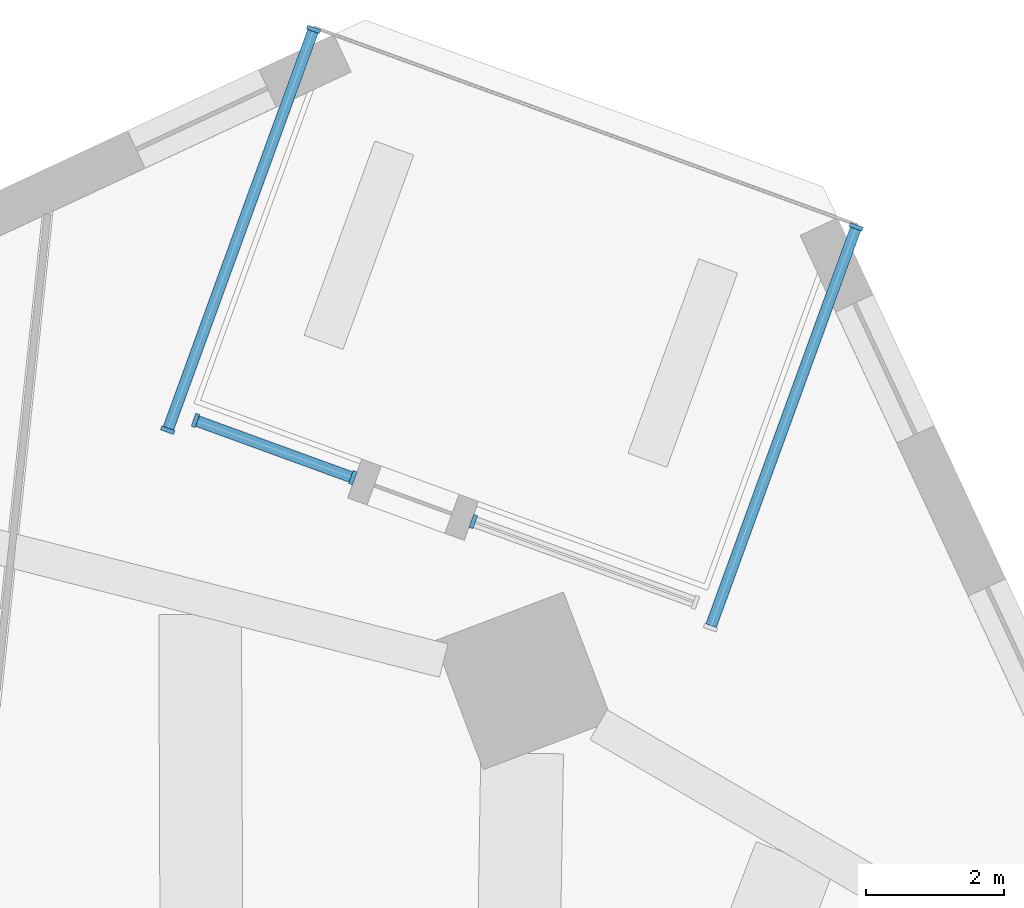
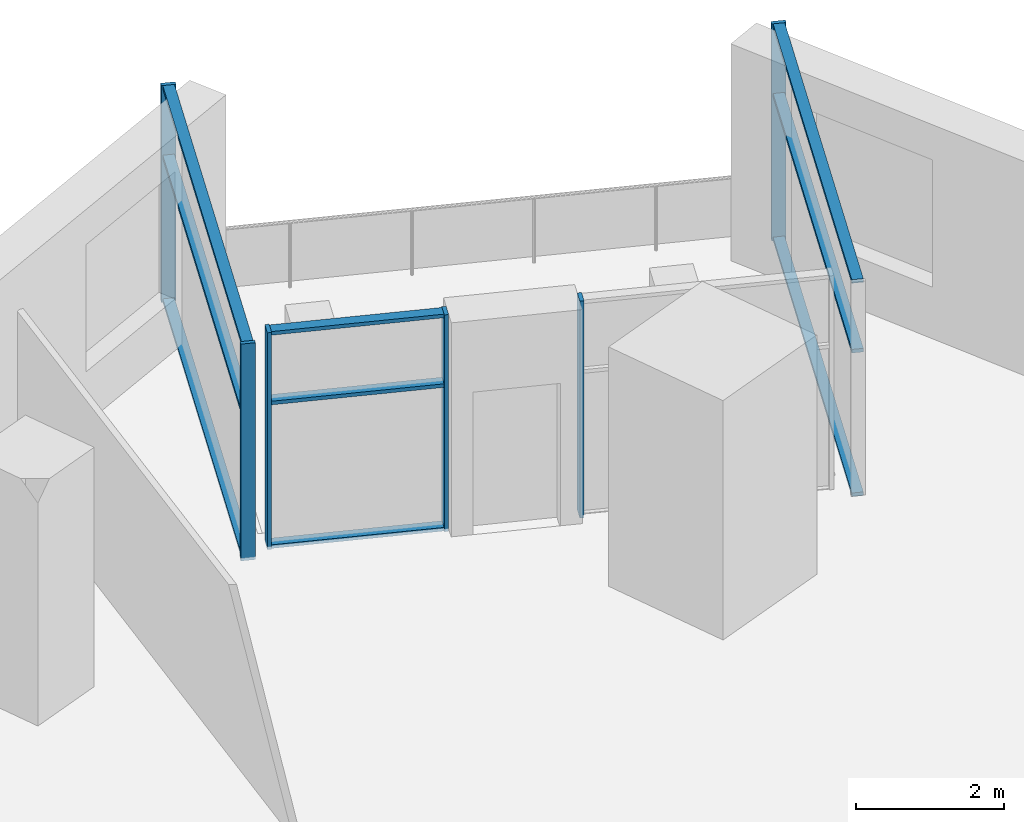
# One storey, part 4 of 12: 15 members, 4 elements without a shape of their own.
"""IFC4 building model written with IfcOpenShell, lengths in metres."""

from ifc_helpers import new_model, si_unit, direction, frame, origin, origin_2d, place, context, subcontext, project, spatial, rectangle, extrude, material, material_profile, profile_set, type_object, element, aggregate, save


model = new_model("IFC4")

# Units and contexts
model_context = context("Model", 3, precision=1e-05, world=origin(), true_north=direction((0.0, 1.0)))
body_context = subcontext(model_context, "Body", "Model", "MODEL_VIEW")
ifc_project = project(units=[si_unit("LENGTHUNIT", "METRE"), si_unit("AREAUNIT", "SQUARE_METRE"), si_unit("VOLUMEUNIT", "CUBIC_METRE"), si_unit("PLANEANGLEUNIT", "RADIAN"), si_unit("MASSUNIT", "GRAM", prefix="KILO")], contexts=[model_context])

# Site, building, storey
site_placement = place(None, origin())
site = spatial("IfcSite", under=ifc_project, at=site_placement, CompositionType="ELEMENT")
building_placement = place(site_placement, origin())
building = spatial("IfcBuilding", under=site, at=building_placement, Name="Dilmun Exchange Tower", CompositionType="ELEMENT")
storey_placement = place(building_placement, frame((0.0, 0.0, 126.10009765625)))
storey = spatial("IfcBuildingStorey", under=building, at=storey_placement, Name="L29", CompositionType="ELEMENT", Elevation=126.10009765625)

# Curtain wall, member
ifc_material_1 = material(Name="Anodised aluminium and clear glass", Category="aluminium")
curtain_wall_type = type_object("IfcCurtainWallType", Name="Garden corner glazing", PredefinedType="NOTDEFINED", material=ifc_material_1)
curtain_wall_1_placement = place(storey_placement, origin())
curtain_wall_1 = element("IfcCurtainWall", 1, at=curtain_wall_1_placement, inside=storey, type_object=curtain_wall_type, Name="Garden corner glazing run GC1.1", PredefinedType="NOTDEFINED")
ifc_material_2 = material(Name="Anodised aluminium", Category="aluminium")
ifc_material_profile_1 = material_profile(ifc_material_2, rectangle(XDim=0.199951171875, YDim=0.06005859375, at=origin_2d()), Name="AL 60x200")
ifc_profile_set_1 = profile_set([ifc_material_profile_1], Name="Anodised aluminium")
member_type_1 = type_object("IfcMemberType", Name="Garden corner glazing mullion 60 x 200", PredefinedType="MULLION", material=ifc_profile_set_1)
member_1_placement = place(storey_placement, frame((17.951904296875, 32.939697265625, 0.0), z_axis=(0.0, 0.0, 1.0), x_axis=(0.939694291986, -0.342015551708, 0.0)))
member_1 = element("IfcMember", 2, at=member_1_placement, type_object=member_type_1, Name="GC1.1 mullion 1", PredefinedType="MULLION", context=body_context, shape_type="SweptSolid", body=[
    extrude(rectangle(XDim=0.199951171875, YDim=0.06005859375, at=origin_2d()), origin(), (0.0, 0.0, 1.0), 3.579833984375),
])

curtain_wall_2_placement = place(storey_placement, origin())
curtain_wall_2 = element("IfcCurtainWall", 3, at=curtain_wall_2_placement, inside=storey, type_object=curtain_wall_type, Name="Garden corner glazing run GC2.1", PredefinedType="NOTDEFINED")
member_2_placement = place(storey_placement, frame((12.39599609375, 28.665771484375, 0.0), z_axis=(0.0, 0.0, 1.0), x_axis=(-0.342032997842, -0.939687942025, 0.0)))
member_2 = element("IfcMember", 4, at=member_2_placement, type_object=member_type_1, Name="GC2.1 mullion 2", PredefinedType="MULLION", context=body_context, shape_type="SweptSolid", body=[
    extrude(rectangle(XDim=0.199951171875, YDim=0.06005859375, at=origin_2d()), origin(), (0.0, 0.0, 1.0), 3.579833984375),
])
aggregate(curtain_wall_2, [member_2])

# Curtain wall, members
curtain_wall_3_placement = place(storey_placement, origin())
curtain_wall_3 = element("IfcCurtainWall", 5, at=curtain_wall_3_placement, inside=storey, type_object=curtain_wall_type, Name="Garden corner glazing run GC2.3", PredefinedType="NOTDEFINED")
member_3_placement = place(storey_placement, frame((10.648193359375, 29.3017578125, 0.0), z_axis=(0.0, 0.0, 1.0), x_axis=(-0.342010785593, -0.939696026669, 0.0)))
member_3 = element("IfcMember", 6, at=member_3_placement, type_object=member_type_1, Name="GC2.3 mullion 1", PredefinedType="MULLION", context=body_context, shape_type="SweptSolid", body=[
    extrude(rectangle(XDim=0.199951171875, YDim=0.06005859375, at=origin_2d()), origin(), (0.0, 0.0, 1.0), 3.579833984375),
])
member_4_placement = place(storey_placement, frame((8.365478515625, 30.132568359375, 0.0), z_axis=(0.0, 0.0, 1.0), x_axis=(-0.342010785593, -0.939696026669, 0.0)))
member_4 = element("IfcMember", 7, at=member_4_placement, type_object=member_type_1, Name="GC2.3 mullion 2", PredefinedType="MULLION", context=body_context, shape_type="SweptSolid", body=[
    extrude(rectangle(XDim=0.199951171875, YDim=0.06005859375, at=origin_2d()), origin(), (0.0, 0.0, 1.0), 3.579833984375),
])

curtain_wall_4_placement = place(storey_placement, origin())
curtain_wall_4 = element("IfcCurtainWall", 8, at=curtain_wall_4_placement, inside=storey, type_object=curtain_wall_type, Name="Garden corner glazing run GC3.1", PredefinedType="NOTDEFINED")
member_5_placement = place(storey_placement, frame((7.963134765625, 29.99169921875, 0.0), z_axis=(0.0, 0.0, 1.0), x_axis=(-0.939694291986, 0.342015551708, 0.0)))
member_5 = element("IfcMember", 9, at=member_5_placement, type_object=member_type_1, Name="GC3.1 mullion 1", PredefinedType="MULLION", context=body_context, shape_type="SweptSolid", body=[
    extrude(rectangle(XDim=0.199951171875, YDim=0.06005859375, at=origin_2d()), origin(), (0.0, 0.0, 1.0), 3.579833984375),
])
member_6_placement = place(storey_placement, frame((10.0791015625, 35.80517578125, 0.0), z_axis=(0.0, 0.0, 1.0), x_axis=(-0.939694291986, 0.342015551708, 0.0)))
member_6 = element("IfcMember", 10, at=member_6_placement, type_object=member_type_1, Name="GC3.1 mullion 2", PredefinedType="MULLION", context=body_context, shape_type="SweptSolid", body=[
    extrude(rectangle(XDim=0.199951171875, YDim=0.06005859375, at=origin_2d()), origin(), (0.0, 0.0, 1.0), 3.579833984375),
])

# Member
ifc_material_profile_2 = material_profile(ifc_material_2, rectangle(XDim=0.159912109375, YDim=0.06005859375, at=origin_2d()), Name="AL 60x160")
ifc_profile_set_2 = profile_set([ifc_material_profile_2], Name="Anodised aluminium")
member_type_2 = type_object("IfcMemberType", Name="Garden corner glazing transom 60 x 160", PredefinedType="USERDEFINED", material=ifc_profile_set_2)
member_7_placement = place(storey_placement, frame((17.941650390625, 32.91162109375, 0.02978515625), z_axis=(-0.341992622513, -0.939702637086, 0.0), x_axis=(0.939702637086, -0.341992622513, 0.0)))
member_7 = element("IfcMember", 11, at=member_7_placement, type_object=member_type_2, Name="GC1.1 transom 1.1", ObjectType="TRANSOM", PredefinedType="USERDEFINED", context=body_context, shape_type="SweptSolid", body=[
    extrude(rectangle(XDim=0.159912109375, YDim=0.06005859375, at=origin_2d()), origin(), (0.0, 0.0, 1.0), 6.12646484375),
])

member_8_placement = place(storey_placement, frame((17.941650390625, 32.91162109375, 2.39990234375), z_axis=(-0.341992622513, -0.939702637086, 0.0), x_axis=(0.939702637086, -0.341992622513, 0.0)))
member_8 = element("IfcMember", 12, at=member_8_placement, type_object=member_type_2, Name="GC1.1 transom 1.2", ObjectType="TRANSOM", PredefinedType="USERDEFINED", context=body_context, shape_type="SweptSolid", body=[
    extrude(rectangle(XDim=0.159912109375, YDim=0.06005859375, at=origin_2d()), origin(), (0.0, 0.0, 1.0), 6.12646484375),
])

member_9_placement = place(storey_placement, frame((17.941650390625, 32.91162109375, 3.5498046875), z_axis=(-0.341992622513, -0.939702637086, 0.0), x_axis=(0.939702637086, -0.341992622513, 0.0)))
member_9 = element("IfcMember", 13, at=member_9_placement, type_object=member_type_2, Name="GC1.1 transom 1.3", ObjectType="TRANSOM", PredefinedType="USERDEFINED", context=body_context, shape_type="SweptSolid", body=[
    extrude(rectangle(XDim=0.159912109375, YDim=0.06005859375, at=origin_2d()), origin(), (0.0, 0.0, 1.0), 6.12646484375),
])

aggregate(curtain_wall_1, [member_1, member_7, member_8, member_9])

member_10_placement = place(storey_placement, frame((10.6201171875, 29.31201171875, 0.02978515625), z_axis=(-0.939694096766, 0.342016088076, 0.0), x_axis=(-0.342016088076, -0.939694096766, 0.0)))
member_10 = element("IfcMember", 14, at=member_10_placement, type_object=member_type_2, Name="GC2.3 transom 1.1", ObjectType="TRANSOM", PredefinedType="USERDEFINED", context=body_context, shape_type="SweptSolid", body=[
    extrude(rectangle(XDim=0.159912109375, YDim=0.06005859375, at=origin_2d()), origin(), (0.0, 0.0, 1.0), 2.369140625),
])

member_11_placement = place(storey_placement, frame((10.6201171875, 29.31201171875, 2.39990234375), z_axis=(-0.939694096766, 0.342016088076, 0.0), x_axis=(-0.342016088076, -0.939694096766, 0.0)))
member_11 = element("IfcMember", 15, at=member_11_placement, type_object=member_type_2, Name="GC2.3 transom 1.2", ObjectType="TRANSOM", PredefinedType="USERDEFINED", context=body_context, shape_type="SweptSolid", body=[
    extrude(rectangle(XDim=0.159912109375, YDim=0.06005859375, at=origin_2d()), origin(), (0.0, 0.0, 1.0), 2.369140625),
])

member_12_placement = place(storey_placement, frame((10.6201171875, 29.31201171875, 3.5498046875), z_axis=(-0.939694096766, 0.342016088076, 0.0), x_axis=(-0.342016088076, -0.939694096766, 0.0)))
member_12 = element("IfcMember", 16, at=member_12_placement, type_object=member_type_2, Name="GC2.3 transom 1.3", ObjectType="TRANSOM", PredefinedType="USERDEFINED", context=body_context, shape_type="SweptSolid", body=[
    extrude(rectangle(XDim=0.159912109375, YDim=0.06005859375, at=origin_2d()), origin(), (0.0, 0.0, 1.0), 2.369140625),
])

aggregate(curtain_wall_3, [member_3, member_4, member_10, member_11, member_12])

member_13_placement = place(storey_placement, frame((7.973388671875, 30.02001953125, 0.02978515625), z_axis=(0.342027810971, 0.939689829956, 0.0), x_axis=(-0.939689829956, 0.342027810971, 0.0)))
member_13 = element("IfcMember", 17, at=member_13_placement, type_object=member_type_2, Name="GC3.1 transom 1.1", ObjectType="TRANSOM", PredefinedType="USERDEFINED", context=body_context, shape_type="SweptSolid", body=[
    extrude(rectangle(XDim=0.159912109375, YDim=0.06005859375, at=origin_2d()), origin(), (0.0, 0.0, 1.0), 6.12646484375),
])

member_14_placement = place(storey_placement, frame((7.973388671875, 30.02001953125, 2.39990234375), z_axis=(0.342027810971, 0.939689829956, 0.0), x_axis=(-0.939689829956, 0.342027810971, 0.0)))
member_14 = element("IfcMember", 18, at=member_14_placement, type_object=member_type_2, Name="GC3.1 transom 1.2", ObjectType="TRANSOM", PredefinedType="USERDEFINED", context=body_context, shape_type="SweptSolid", body=[
    extrude(rectangle(XDim=0.159912109375, YDim=0.06005859375, at=origin_2d()), origin(), (0.0, 0.0, 1.0), 6.12646484375),
])

member_15_placement = place(storey_placement, frame((7.973388671875, 30.02001953125, 3.5498046875), z_axis=(0.342027810971, 0.939689829956, 0.0), x_axis=(-0.939689829956, 0.342027810971, 0.0)))
member_15 = element("IfcMember", 19, at=member_15_placement, type_object=member_type_2, Name="GC3.1 transom 1.3", ObjectType="TRANSOM", PredefinedType="USERDEFINED", context=body_context, shape_type="SweptSolid", body=[
    extrude(rectangle(XDim=0.159912109375, YDim=0.06005859375, at=origin_2d()), origin(), (0.0, 0.0, 1.0), 6.12646484375),
])

aggregate(curtain_wall_4, [member_5, member_6, member_13, member_14, member_15])

save(model, "model.ifc")
